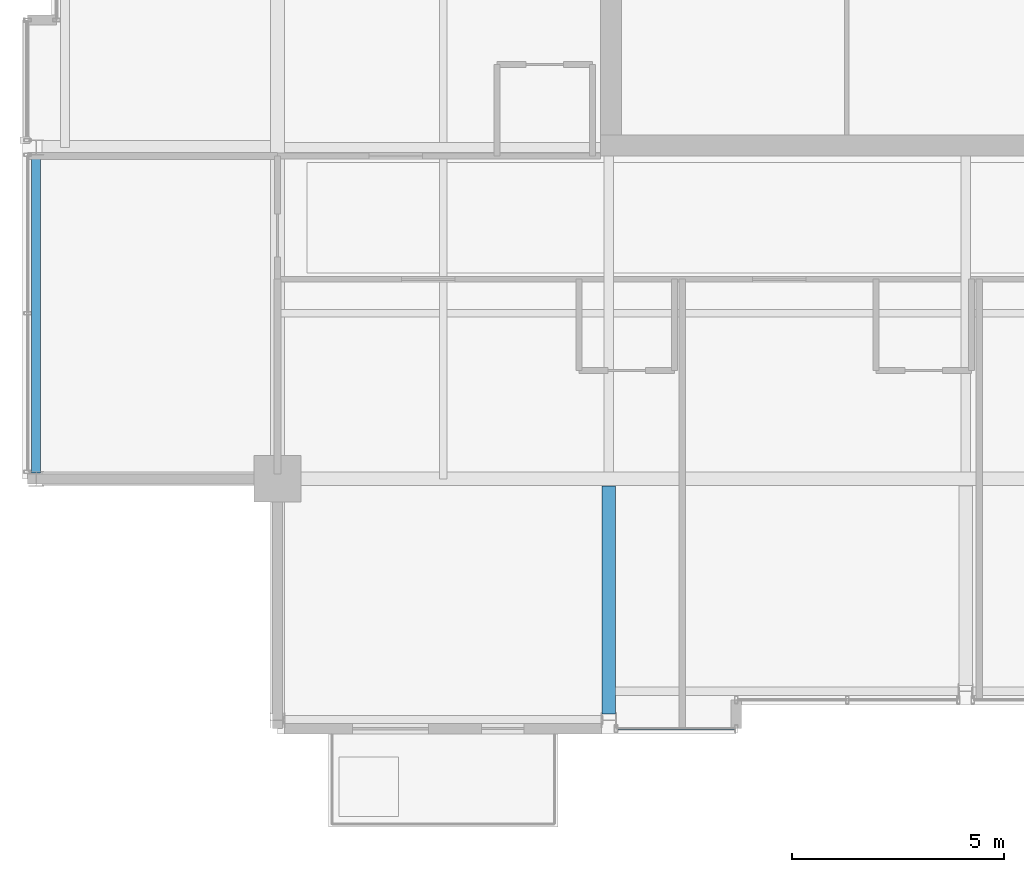
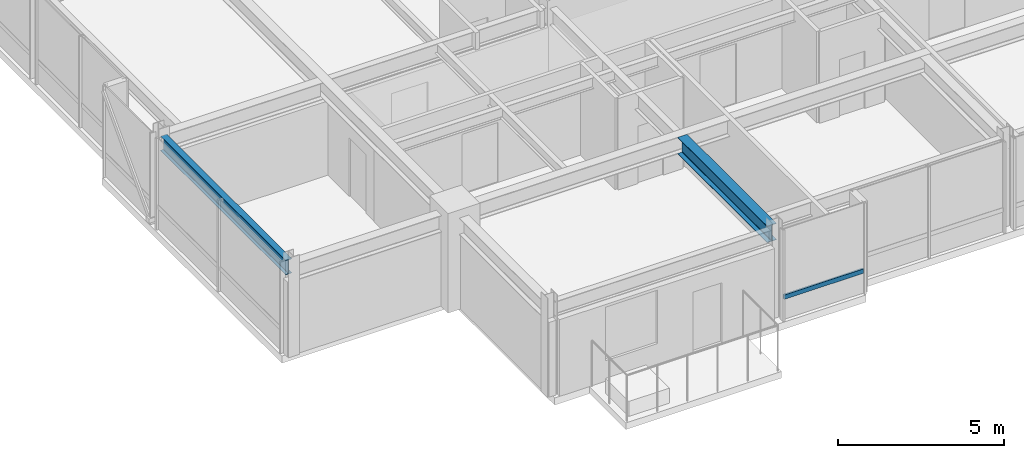
# One storey, part 5 of 34: 2 beams, 1 member, 1 element without a shape of its own.
"""IFC4 building model written with IfcOpenShell, lengths in metres."""

import ifcopenshell
import ifcopenshell.guid

model = None  # the IFC model being written
_history = None  # IfcOwnerHistory: only IFC2X3 demands one
_inside = {}  # id of a spatial element -> (the spatial element, [elements in it])
_under = {}  # id of a project, library or spatial element -> (it, [spatial elements below it])
_declared = {}  # id of a project -> (the project, [libraries it declares])
_typed = {}  # id of a type object -> (the type object, [elements of that type])
_made_of = {}  # id of a material, layer set ... -> (it, [elements and type objects made of it])


def new_model(schema):
    """Start an empty IFC model of exactly this schema.

    Asked for "IFC4X3", IfcOpenShell would pick the latest addendum, in which some entities
    have other attributes; the version numbers below select the first issue.
    IFC2X3 requires an IfcOwnerHistory on every rooted entity: one is made here for all.
    """
    global model, _history
    if schema == "IFC4X3":
        model = ifcopenshell.file(schema_version=(4, 3, 0, 0))
    else:
        model = ifcopenshell.file(schema=schema)
    _inside.clear()
    _under.clear()
    _declared.clear()
    _typed.clear()
    _made_of.clear()
    _history = None
    if model.schema == "IFC2X3":
        org = make("IfcOrganization", Name="unknown")
        user = make(
            "IfcPersonAndOrganization",
            ThePerson=make("IfcPerson", FamilyName="unknown"),
            TheOrganization=org,
        )
        app = make(
            "IfcApplication",
            ApplicationDeveloper=org,
            Version="unknown",
            ApplicationFullName="unknown",
            ApplicationIdentifier="unknown",
        )
        _history = make(
            "IfcOwnerHistory",
            OwningUser=user,
            OwningApplication=app,
            ChangeAction="ADDED",
            CreationDate=0,
        )
    return model


def make(cls, **values):
    """One entity of the class cls with the attributes given. An attribute that is None is left unset."""
    return model.create_entity(
        cls, **{name: value for name, value in values.items() if value is not None}
    )


def rooted(cls, **values):
    """An entity with a GlobalId (a new one), such as an element, a storey or a relation."""
    return make(cls, GlobalId=ifcopenshell.guid.new(), OwnerHistory=_history, **values)


def si_unit(unit_type, name, prefix=None):
    """IfcSIUnit, for example si_unit("LENGTHUNIT", "METRE", prefix="MILLI")."""
    return make("IfcSIUnit", UnitType=unit_type, Prefix=prefix, Name=name)


def assignment(units):
    """IfcUnitAssignment: the units of a project."""
    return None if units is None else make("IfcUnitAssignment", Units=units)


def point(xyz):
    """IfcCartesianPoint."""
    return None if xyz is None else make("IfcCartesianPoint", Coordinates=xyz)


def direction(xyz):
    """IfcDirection."""
    return None if xyz is None else make("IfcDirection", DirectionRatios=xyz)


def frame(location, z_axis=None, x_axis=None):
    """IfcAxis2Placement3D, a coordinate frame: its origin and axes. An axis left out is left unset."""
    return make(
        "IfcAxis2Placement3D",
        Location=point(location),
        Axis=direction(z_axis),
        RefDirection=direction(x_axis),
    )


def frame_2d(location, x_axis=None):
    """IfcAxis2Placement2D, a coordinate frame in the plane: its origin and x axis."""
    return make(
        "IfcAxis2Placement2D", Location=point(location), RefDirection=direction(x_axis)
    )


def origin():
    """The frame at (0, 0, 0) with its axes left unset."""
    return frame((0.0, 0.0, 0.0))


def origin_2d():
    """The frame at (0, 0) in the plane with its x axis left unset."""
    return frame_2d((0.0, 0.0))


def place(relative_to, where):
    """IfcLocalPlacement: puts the frame where relative to a parent placement (None: the world)."""
    return make(
        "IfcLocalPlacement", PlacementRelTo=relative_to, RelativePlacement=where
    )


def context(
    kind, dimensions, precision=None, world=None, true_north=None, identifier=None
):
    """IfcGeometricRepresentationContext, for example the 3D "Model" context."""
    return make(
        "IfcGeometricRepresentationContext",
        ContextIdentifier=identifier,
        ContextType=kind,
        CoordinateSpaceDimension=dimensions,
        Precision=precision,
        WorldCoordinateSystem=world,
        TrueNorth=true_north,
    )


def subcontext(parent, identifier, kind, view, scale=None):
    """IfcGeometricRepresentationSubContext, for example "Body" below "Model"."""
    return make(
        "IfcGeometricRepresentationSubContext",
        ContextIdentifier=identifier,
        ContextType=kind,
        ParentContext=parent,
        TargetScale=scale,
        TargetView=view,
    )


def project(units=None, contexts=None):
    """IfcProject with its units and contexts."""
    return rooted(
        "IfcProject",
        Name="project",
        RepresentationContexts=contexts,
        UnitsInContext=assignment(units),
    )


def spatial(cls, under=None, at=None, **own):
    """A site, building, storey or space (cls), placed at a placement, below another one or the project."""
    s = rooted(cls, ObjectPlacement=at, **own)
    if under is not None:
        _under.setdefault(under.id(), (under, []))[1].append(s)
    return s


def profile(cls, at=None, kind="AREA", **sizes):
    """A parametric profile (cls). Its sizes go by their IFC names, for example OverallWidth=200.0."""
    return make(cls, ProfileType=kind, Position=at, **sizes)


def hollow_rectangle(**sizes):
    """IfcRectangleHollowProfileDef."""
    return profile("IfcRectangleHollowProfileDef", **sizes)


def i_section(**sizes):
    """IfcIShapeProfileDef."""
    return profile("IfcIShapeProfileDef", **sizes)


def extrude(swept, where, along, depth):
    """IfcExtrudedAreaSolid: the profile swept, set in the frame where, extruded along a direction by depth."""
    return make(
        "IfcExtrudedAreaSolid",
        SweptArea=swept,
        Position=where,
        ExtrudedDirection=direction(along),
        Depth=depth,
    )


def shape(context_of_items, identifier, shape_type, items):
    """IfcShapeRepresentation: the items that make up one representation, for example the "Body"."""
    return make(
        "IfcShapeRepresentation",
        ContextOfItems=context_of_items,
        RepresentationIdentifier=identifier,
        RepresentationType=shape_type,
        Items=items,
    )


def material(Name=None, Category=None):
    """IfcMaterial."""
    return make("IfcMaterial", Name=Name, Category=Category)


def layer(
    of_material, thickness, ventilated=None, Name=None, Category=None, Priority=None
):
    """IfcMaterialLayer: one layer of a wall or slab, of a material (None: an air gap)."""
    return make(
        "IfcMaterialLayer",
        Material=of_material,
        LayerThickness=thickness,
        IsVentilated=ventilated,
        Name=Name,
        Category=Category,
        Priority=Priority,
    )


def layer_set(layers, Name=None):
    """IfcMaterialLayerSet."""
    return make("IfcMaterialLayerSet", MaterialLayers=layers, LayerSetName=Name)


def material_profile(
    of_material, cross_section, Name=None, Category=None, Priority=None
):
    """IfcMaterialProfile: a cross section and its material."""
    return make(
        "IfcMaterialProfile",
        Name=Name,
        Material=of_material,
        Profile=cross_section,
        Priority=Priority,
        Category=Category,
    )


def profile_set(profiles, Name=None, composite=None):
    """IfcMaterialProfileSet."""
    return make(
        "IfcMaterialProfileSet",
        Name=Name,
        MaterialProfiles=profiles,
        CompositeProfile=composite,
    )


def made_of(thing, what):
    """Note that an element or type object is made of a material, layer set ...; save() writes the relation."""
    if what is not None:
        _made_of.setdefault(what.id(), (what, []))[1].append(thing)
    return thing


def type_object(cls, material=None, **own):
    """A type object (cls), such as IfcWallType, which elements share."""
    return made_of(rooted(cls, **own), material)


def element(
    cls,
    number,
    at=None,
    inside=None,
    cuts=None,
    type_object=None,
    material=None,
    context=None,
    identifier="Body",
    shape_type=None,
    held_by="IfcProductDefinitionShape",
    body=None,
    shapes=None,
    **own,
):
    """One element of the class cls, such as IfcWall. Its Tag is "e" and its number.

    at: its placement. inside: the storey or other place that contains it. cuts: it is an
    opening in that element (IfcRelVoidsElement). A single representation is given by context,
    identifier, shape_type and body (its items); several are given by shapes. held_by: the class
    of the entity that holds the representations. save() writes the other relations.
    """
    e = rooted(cls, Tag="e%d" % number, ObjectPlacement=at, **own)
    if body is not None:
        shapes = [shape(context, identifier, shape_type, body)]
    if shapes is not None:
        e.Representation = make(held_by, Representations=shapes)
    if inside is not None:
        _inside.setdefault(inside.id(), (inside, []))[1].append(e)
    if cuts is not None:
        rooted(
            "IfcRelVoidsElement", RelatingBuildingElement=cuts, RelatedOpeningElement=e
        )
    if type_object is not None:
        _typed.setdefault(type_object.id(), (type_object, []))[1].append(e)
    return made_of(e, material)


def aggregate(whole, parts):
    """IfcRelAggregates: a whole, such as a stair, and the parts it consists of."""
    return rooted("IfcRelAggregates", RelatingObject=whole, RelatedObjects=parts)


def save(model, path):
    """Write the relations noted so far, then the file.

    IfcRelAggregates (storeys below a building ...), IfcRelContainedInSpatialStructure (elements
    in a storey), IfcRelDefinesByType, IfcRelAssociatesMaterial and IfcRelDeclares: one each for
    every whole, place, type object, material and project.
    """
    for whole, parts in _under.values():
        aggregate(whole, parts)
    for where, things in _inside.values():
        rooted(
            "IfcRelContainedInSpatialStructure",
            RelatedElements=things,
            RelatingStructure=where,
        )
    for kind, things in _typed.values():
        rooted("IfcRelDefinesByType", RelatedObjects=things, RelatingType=kind)
    for what, things in _made_of.values():
        rooted("IfcRelAssociatesMaterial", RelatedObjects=things, RelatingMaterial=what)
    for by, libraries in _declared.values():
        rooted("IfcRelDeclares", RelatingContext=by, RelatedDefinitions=libraries)
    model.write(path)


model = new_model("IFC4")

# Units and contexts
model_context = context("Model", 3, precision=1e-05, world=origin(), true_north=direction((0.0, 1.0)))
body_context = subcontext(model_context, "Body", "Model", "MODEL_VIEW")
ifc_project = project(units=[si_unit("LENGTHUNIT", "METRE"), si_unit("AREAUNIT", "SQUARE_METRE"), si_unit("VOLUMEUNIT", "CUBIC_METRE"), si_unit("PLANEANGLEUNIT", "RADIAN"), si_unit("MASSUNIT", "GRAM", prefix="KILO")], contexts=[model_context])

# Site, building, storey
site_placement = place(None, origin())
site = spatial("IfcSite", under=ifc_project, at=site_placement, CompositionType="ELEMENT")
building_placement = place(site_placement, origin())
building = spatial("IfcBuilding", under=site, at=building_placement, Name="Drelvath Grand Hotel", CompositionType="ELEMENT")
storey_placement = place(building_placement, frame((0.0, 0.0, 290.550048828125)))
storey = spatial("IfcBuildingStorey", under=building, at=storey_placement, Name="L76", CompositionType="ELEMENT", Elevation=290.550048828125)

# Curtain wall, member
ifc_material_1 = material(Name="Platinum-Mist Anodised Aluminium Frame", Category="aluminium")
ifc_layer = layer(ifc_material_1, 0.199951171875)
ifc_layer_set = layer_set([ifc_layer], Name="Platinum-Mist Anodised Aluminium Frame")
curtain_wall_type = type_object("IfcCurtainWallType", Name="Stick Curtain Wall CW-05 Platinum Mist High-Rise", PredefinedType="NOTDEFINED", material=ifc_layer_set)
curtain_wall_placement = place(storey_placement, origin())
curtain_wall = element("IfcCurtainWall", 1, at=curtain_wall_placement, inside=storey, type_object=curtain_wall_type, Name="L76 CW-05 Curtain Wall CW05-L76-SW2", PredefinedType="NOTDEFINED")
ifc_material_profile_1 = material_profile(ifc_material_1, hollow_rectangle(XDim=0.06494140625, YDim=0.159912109375, WallThickness=0.00390625, at=origin_2d()), Name="HSS160X65X4")
ifc_profile_set_1 = profile_set([ifc_material_profile_1], Name="Platinum-Mist Anodised Aluminium Frame")
member_type = type_object("IfcMemberType", Name="Curtain Wall Horizontal Transom CW-05 HSS160X65X4", PredefinedType="USERDEFINED", material=ifc_profile_set_1)
member_placement = place(storey_placement, frame((-5.43994140625, 4.919921875, 0.83740234375), z_axis=(-1.0, 0.0, 0.0), x_axis=(0.0, -1.0, 0.0)))
member = element("IfcMember", 2, at=member_placement, type_object=member_type, Name="CW05-L76-SW2 Sill Transom", ObjectType="TRANSOM", PredefinedType="USERDEFINED", context=body_context, shape_type="SweptSolid", body=[
    extrude(hollow_rectangle(XDim=0.06494140625, YDim=0.159912109375, WallThickness=0.00390625, at=origin_2d()), origin(), (0.0, 0.0, 1.0), 2.75),
])
aggregate(curtain_wall, [member])

# Beams
ifc_material_2 = material(Name="Steel ASTM A992 Gr 50", Category="steel")
ifc_material_profile_2 = material_profile(ifc_material_2, i_section(OverallWidth=0.210205078125, OverallDepth=0.53662109375, WebThickness=0.010986328125, FlangeThickness=0.017333984375, FilletRadius=0.01806640625, at=origin_2d()), Name="W21X68")
ifc_profile_set_2 = profile_set([ifc_material_profile_2], Name="Steel ASTM A992 Gr 50")
beam_type_1 = type_object("IfcBeamType", Name="Perimeter Spandrel Beam W21X68", PredefinedType="SPANDREL", material=ifc_profile_set_2)
beam_1_placement = place(storey_placement, frame((-21.8798828125, 10.93994140625, 3.08154296875), z_axis=(0.0, 1.0, 0.0), x_axis=(-1.0, 0.0, 0.0)))
element("IfcBeam", 3, at=beam_1_placement, inside=storey, type_object=beam_type_1, Name="L76 Spandrel West S", PredefinedType="SPANDREL", context=body_context, shape_type="SweptSolid", body=[
    extrude(i_section(OverallWidth=0.210205078125, OverallDepth=0.53662109375, WebThickness=0.010986328125, FlangeThickness=0.017333984375, FilletRadius=0.01806640625, at=origin_2d()), origin(), (0.0, 0.0, 1.0), 7.52001953125),
])
ifc_material_profile_3 = material_profile(ifc_material_2, i_section(OverallWidth=0.323974609375, OverallDepth=0.611083984375, WebThickness=0.0126953125, FlangeThickness=0.01904296875, FilletRadius=0.02197265625, at=origin_2d()), Name="W24X104")
ifc_profile_set_3 = profile_set([ifc_material_profile_3], Name="Steel ASTM A992 Gr 50")
beam_type_2 = type_object("IfcBeamType", Name="Primary Floor Girder W24X104", PredefinedType="BEAM", material=ifc_profile_set_3)
beam_2_placement = place(storey_placement, frame((-8.39990234375, 5.260009765625, 3.04443359375), z_axis=(0.0, 1.0, 0.0), x_axis=(-1.0, 0.0, 0.0)))
element("IfcBeam", 4, at=beam_2_placement, inside=storey, type_object=beam_type_2, Name="L76 South Wing Girder 4", PredefinedType="BEAM", context=body_context, shape_type="SweptSolid", body=[
    extrude(i_section(OverallWidth=0.323974609375, OverallDepth=0.611083984375, WebThickness=0.0126953125, FlangeThickness=0.01904296875, FilletRadius=0.02197265625, at=origin_2d()), origin(), (0.0, 0.0, 1.0), 5.3779296875),
])

save(model, "model.ifc")
